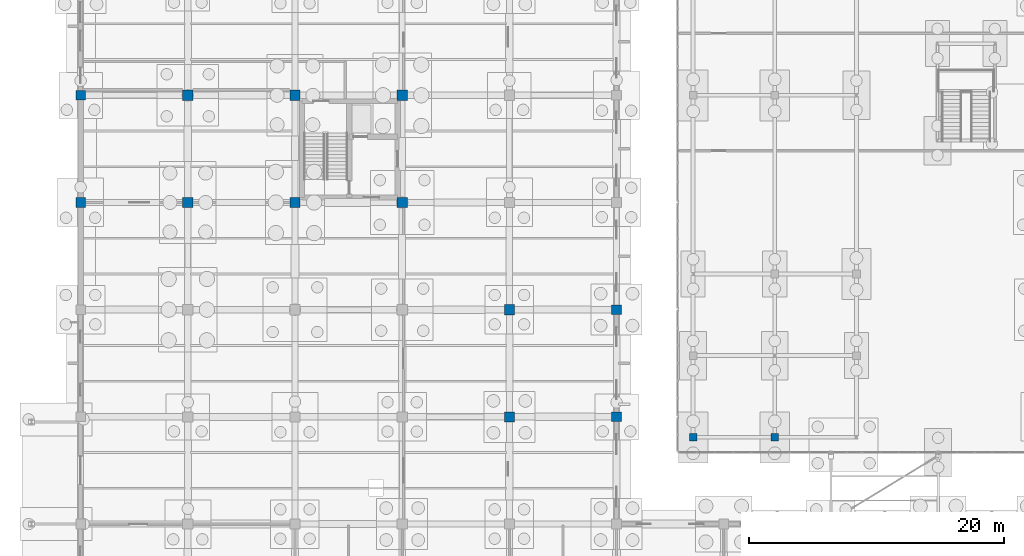
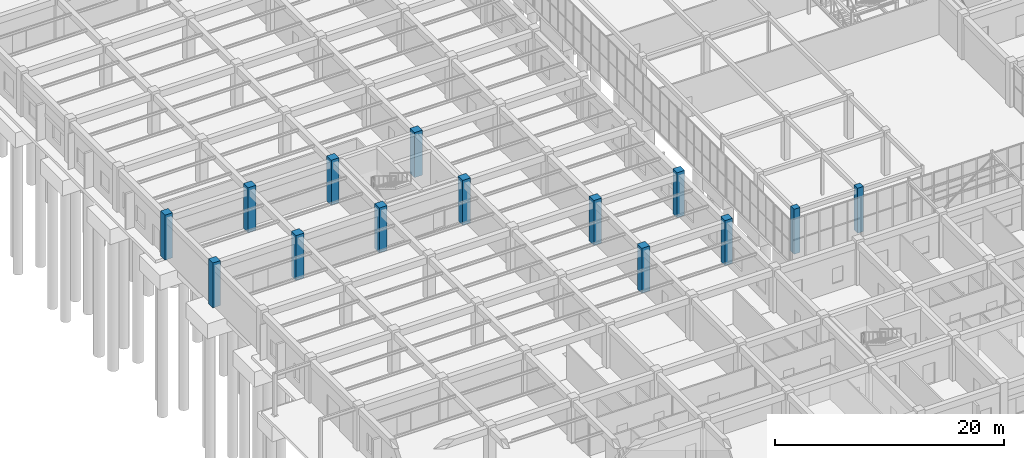
# One storey, part 21 of 192: 14 columns.
"""IFC4 building model written with IfcOpenShell, lengths in metres."""

from ifc_helpers import new_model, si_unit, direction, frame, origin, origin_2d, place, context, subcontext, project, spatial, rectangle, extrude, material, material_profile, profile_set, type_object, element, save


model = new_model("IFC4")

# Units and contexts
model_context = context("Model", 3, precision=1e-05, world=origin(), true_north=direction((0.0, 1.0)))
body_context = subcontext(model_context, "Body", "Model", "MODEL_VIEW")
ifc_project = project(units=[si_unit("LENGTHUNIT", "METRE"), si_unit("AREAUNIT", "SQUARE_METRE"), si_unit("VOLUMEUNIT", "CUBIC_METRE"), si_unit("PLANEANGLEUNIT", "RADIAN"), si_unit("MASSUNIT", "GRAM", prefix="KILO")], contexts=[model_context])

# Site, building, storey
site_placement = place(None, origin())
site = spatial("IfcSite", under=ifc_project, at=site_placement, CompositionType="ELEMENT")
building_placement = place(site_placement, origin())
building = spatial("IfcBuilding", under=site, at=building_placement, Name="Trelvath General Hospital", CompositionType="ELEMENT")
storey_placement = place(building_placement, origin())
storey = spatial("IfcBuildingStorey", under=building, at=storey_placement, Name="L00", CompositionType="ELEMENT", Elevation=0.0)

# Columns
ifc_material_1 = material(Name="Concrete C40/50", Category="concrete")
ifc_material_profile_1 = material_profile(ifc_material_1, rectangle(XDim=0.60009765625, YDim=0.60009765625, at=origin_2d()), Name="RC600x600")
ifc_profile_set_1 = profile_set([ifc_material_profile_1], Name="Concrete C40/50")
column_type_1 = type_object("IfcColumnType", Name="Column RC600", PredefinedType="COLUMN", material=ifc_profile_set_1)
for number, where, z_axis, x_axis, name in (
    (1, (48.0, 32.0, 0.0), (0.0, 0.0, 1.0), (1.0, 0.0, 0.0), "Cube Interior Column CC-W22 L00"),
    (2, (54.39990234375, 32.0, 0.0), (0.0, 0.0, 1.0), (1.0, 0.0, 0.0), "Cube Interior Column CC-W29 L00"),
):
    element("IfcColumn", number, at=place(storey_placement, frame(where, z_axis=z_axis, x_axis=x_axis)), inside=storey, type_object=column_type_1, Name=name, PredefinedType="COLUMN", context=body_context, shape_type="SweptSolid", body=[
        extrude(rectangle(XDim=0.60009765625, YDim=0.60009765625, at=origin_2d()), origin(), (0.0, 0.0, 1.0), 4.800048828125),
    ])
ifc_material_2 = material(Name="Concrete C40/50", Category="concrete")
ifc_material_profile_2 = material_profile(ifc_material_2, rectangle(XDim=0.760009765625, YDim=0.760009765625, at=origin_2d()), Name="RC760x760")
ifc_profile_set_2 = profile_set([ifc_material_profile_2], Name="Concrete C40/50")
column_type_2 = type_object("IfcColumnType", Name="Column RC760", PredefinedType="COLUMN", material=ifc_profile_set_2)
for number, where, z_axis, x_axis, name in (
    (3, (0.0, 50.39990234375, 0.0), (0.0, 0.0, 1.0), (1.0, 0.0, 0.0), "Column C-1G L00"),
    (4, (0.0, 58.800048828125, 0.0), (0.0, 0.0, 1.0), (1.0, 0.0, 0.0), "Column C-1H L00"),
    (5, (42.0, 33.60009765625, 0.0), (0.0, 0.0, 1.0), (1.0, 0.0, 0.0), "Column C-6E L00"),
    (6, (42.0, 42.0, 0.0), (0.0, 0.0, 1.0), (1.0, 0.0, 0.0), "Column C-6F L00"),
):
    element("IfcColumn", number, at=place(storey_placement, frame(where, z_axis=z_axis, x_axis=x_axis)), inside=storey, type_object=column_type_2, Name=name, PredefinedType="COLUMN", context=body_context, shape_type="SweptSolid", body=[
        extrude(rectangle(XDim=0.760009765625, YDim=0.760009765625, at=origin_2d()), origin(), (0.0, 0.0, 1.0), 4.800048828125),
    ])
ifc_material_3 = material(Name="Concrete C40/50", Category="concrete")
ifc_material_profile_3 = material_profile(ifc_material_3, rectangle(XDim=0.800048828125, YDim=0.800048828125, at=origin_2d()), Name="RC800x800")
ifc_profile_set_3 = profile_set([ifc_material_profile_3], Name="Concrete C40/50")
column_type_3 = type_object("IfcColumnType", Name="Column RC800", PredefinedType="COLUMN", material=ifc_profile_set_3)
for number, where, z_axis, x_axis, name in (
    (7, (8.39990234375, 50.39990234375, 0.0), (0.0, 0.0, 1.0), (1.0, 0.0, 0.0), "Column C-2G L00"),
    (8, (8.39990234375, 58.800048828125, 0.0), (0.0, 0.0, 1.0), (1.0, 0.0, 0.0), "Column C-2H L00"),
    (9, (16.800048828125, 50.39990234375, 0.0), (0.0, 0.0, 1.0), (1.0, 0.0, 0.0), "Column C-3G L00"),
    (10, (16.800048828125, 58.800048828125, 0.0), (0.0, 0.0, 1.0), (1.0, 0.0, 0.0), "Column C-3H L00"),
    (11, (25.199951171875, 50.39990234375, 0.0), (0.0, 0.0, 1.0), (1.0, 0.0, 0.0), "Column C-4G L00"),
    (12, (25.199951171875, 58.800048828125, 0.0), (0.0, 0.0, 1.0), (1.0, 0.0, 0.0), "Column C-4H L00"),
    (13, (33.60009765625, 33.60009765625, 0.0), (0.0, 0.0, 1.0), (1.0, 0.0, 0.0), "Column C-5E L00"),
    (14, (33.60009765625, 42.0, 0.0), (0.0, 0.0, 1.0), (1.0, 0.0, 0.0), "Column C-5F L00"),
):
    element("IfcColumn", number, at=place(storey_placement, frame(where, z_axis=z_axis, x_axis=x_axis)), inside=storey, type_object=column_type_3, Name=name, PredefinedType="COLUMN", context=body_context, shape_type="SweptSolid", body=[
        extrude(rectangle(XDim=0.800048828125, YDim=0.800048828125, at=origin_2d()), origin(), (0.0, 0.0, 1.0), 4.800048828125),
    ])

save(model, "model.ifc")
